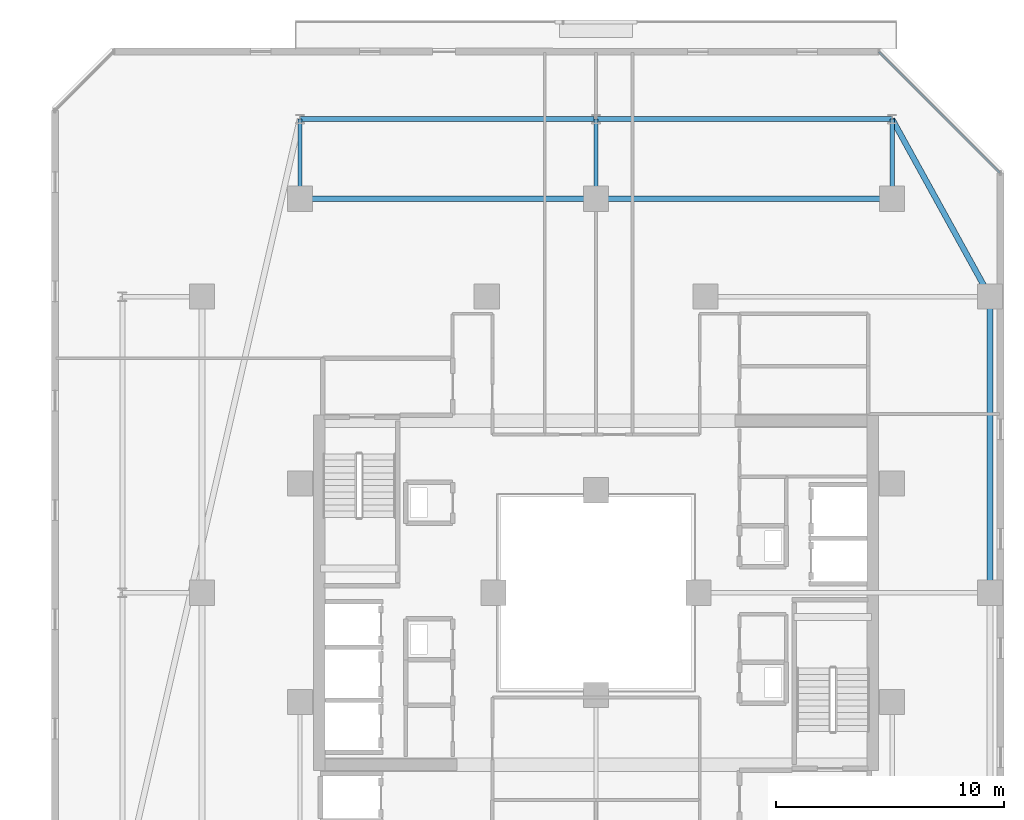
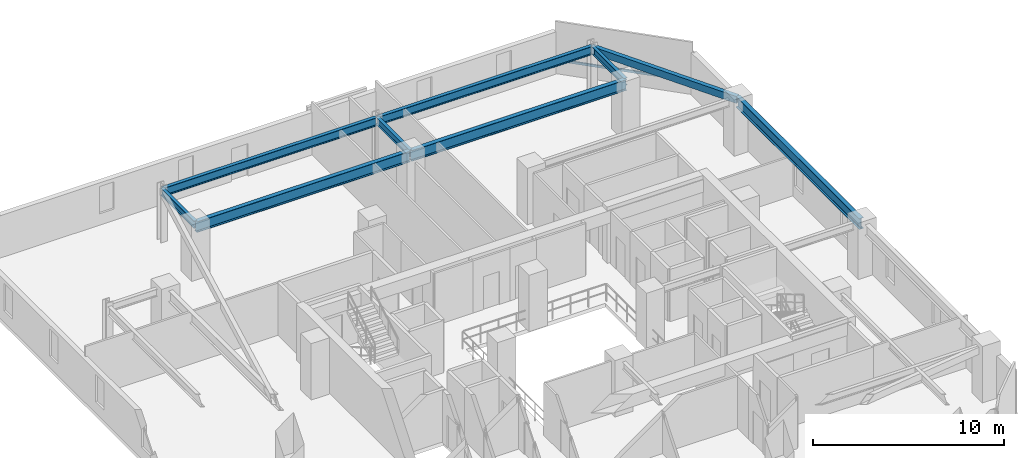
# One storey, part 16 of 33: 9 beams, 1 member, 1 element without a shape of its own.
"""IFC4 building model written with IfcOpenShell, lengths in metres."""

from ifc_helpers import new_model, si_unit, direction, frame, origin, origin_2d, place, context, subcontext, project, spatial, hollow_rectangle, i_section, extrude, material, material_profile, profile_set, type_object, element, aggregate, save


model = new_model("IFC4")

# Units and contexts
model_context = context("Model", 3, precision=1e-05, world=origin(), true_north=direction((0.0, 1.0)))
body_context = subcontext(model_context, "Body", "Model", "MODEL_VIEW")
ifc_project = project(units=[si_unit("LENGTHUNIT", "METRE"), si_unit("AREAUNIT", "SQUARE_METRE"), si_unit("VOLUMEUNIT", "CUBIC_METRE"), si_unit("PLANEANGLEUNIT", "RADIAN"), si_unit("MASSUNIT", "GRAM", prefix="KILO")], contexts=[model_context])

# Site, building, storey
site_placement = place(None, origin())
site = spatial("IfcSite", under=ifc_project, at=site_placement, CompositionType="ELEMENT")
building_placement = place(site_placement, origin())
building = spatial("IfcBuilding", under=site, at=building_placement, Name="Thornwick Lancets Civic Towers", CompositionType="ELEMENT")
storey_placement = place(building_placement, frame((0.0, 0.0, 185.699951171875)))
storey = spatial("IfcBuildingStorey", under=building, at=storey_placement, Name="L49", CompositionType="ELEMENT", Elevation=185.699951171875)

# Beams
ifc_material_1 = material(Name="Steel S355JR", Category="steel")
ifc_material_profile_1 = material_profile(ifc_material_1, i_section(OverallWidth=0.210693359375, OverallDepth=0.53955078125, WebThickness=0.01171875, FlangeThickness=0.018798828125, FilletRadius=0.0126953125, at=origin_2d()), Name="UKB 533x210x109")
ifc_profile_set_1 = profile_set([ifc_material_profile_1], Name="Steel S355JR")
beam_type_1 = type_object("IfcBeamType", Name="BM_EDGE_533_109", PredefinedType="SPANDREL", material=ifc_profile_set_1)
beam_1_placement = place(storey_placement, frame((101.5, 47.800048828125, 3.09033203125), z_axis=(-1.0, 0.0, 0.0), x_axis=(0.0, -1.0, 0.0)))
element("IfcBeam", 1, at=beam_1_placement, inside=storey, type_object=beam_type_1, Name="BM-EDGE-L49-B-S1-1", PredefinedType="SPANDREL", context=body_context, shape_type="SweptSolid", body=[
    extrude(i_section(OverallWidth=0.210693359375, OverallDepth=0.53955078125, WebThickness=0.01171875, FlangeThickness=0.018798828125, FilletRadius=0.0126953125, at=origin_2d()), origin(), (0.0, 0.0, 1.0), 13.0),
])
beam_2_placement = place(storey_placement, frame((88.419921875, 47.800048828125, 3.09033203125), z_axis=(-1.0, 0.0, 0.0), x_axis=(0.0, -1.0, 0.0)))
element("IfcBeam", 2, at=beam_2_placement, inside=storey, type_object=beam_type_1, Name="BM-EDGE-L49-B-S1-2", PredefinedType="SPANDREL", context=body_context, shape_type="SweptSolid", body=[
    extrude(i_section(OverallWidth=0.210693359375, OverallDepth=0.53955078125, WebThickness=0.01171875, FlangeThickness=0.018798828125, FilletRadius=0.0126953125, at=origin_2d()), origin(), (0.0, 0.0, 1.0), 12.919921875),
])
ifc_material_profile_2 = material_profile(ifc_material_1, i_section(OverallWidth=0.255859375, OverallDepth=0.69287109375, WebThickness=0.014404296875, FlangeThickness=0.023681640625, FilletRadius=0.01513671875, at=origin_2d()), Name="UKB 686x254x170")
ifc_profile_set_2 = profile_set([ifc_material_profile_2], Name="Steel S355JR")
beam_type_2 = type_object("IfcBeamType", Name="BM_GIRD_686_170", PredefinedType="BEAM", material=ifc_profile_set_2)
beam_3_placement = place(storey_placement, frame((105.800048828125, 27.080078125, 3.013427734375), z_axis=(0.0, 1.0, 0.0), x_axis=(-1.0, 0.0, 0.0)))
element("IfcBeam", 3, at=beam_3_placement, inside=storey, type_object=beam_type_2, Name="BM-SPINE-L49-B-1-2", PredefinedType="BEAM", context=body_context, shape_type="SweptSolid", body=[
    extrude(i_section(OverallWidth=0.255859375, OverallDepth=0.69287109375, WebThickness=0.014404296875, FlangeThickness=0.023681640625, FilletRadius=0.01513671875, at=origin_2d()), origin(), (0.0, 0.0, 1.0), 12.919921875),
])
beam_4_placement = place(storey_placement, frame((101.5, 44.300048828125, 3.013427734375), z_axis=(-1.0, 0.0, 0.0), x_axis=(0.0, -1.0, 0.0)))
element("IfcBeam", 4, at=beam_4_placement, inside=storey, type_object=beam_type_2, Name="BM-SPINE-L49-B-3-4", PredefinedType="BEAM", context=body_context, shape_type="SweptSolid", body=[
    extrude(i_section(OverallWidth=0.255859375, OverallDepth=0.69287109375, WebThickness=0.014404296875, FlangeThickness=0.023681640625, FilletRadius=0.01513671875, at=origin_2d()), origin(), (0.0, 0.0, 1.0), 13.0),
])
beam_5_placement = place(storey_placement, frame((88.419921875, 44.300048828125, 3.013427734375), z_axis=(-1.0, 0.0, 0.0), x_axis=(0.0, -1.0, 0.0)))
element("IfcBeam", 5, at=beam_5_placement, inside=storey, type_object=beam_type_2, Name="BM-SPINE-L49-B-4-5", PredefinedType="BEAM", context=body_context, shape_type="SweptSolid", body=[
    extrude(i_section(OverallWidth=0.255859375, OverallDepth=0.69287109375, WebThickness=0.014404296875, FlangeThickness=0.023681640625, FilletRadius=0.01513671875, at=origin_2d()), origin(), (0.0, 0.0, 1.0), 12.919921875),
])
ifc_material_profile_3 = material_profile(ifc_material_1, i_section(OverallWidth=0.19287109375, OverallDepth=0.46728515625, WebThickness=0.011474609375, FlangeThickness=0.01953125, FilletRadius=0.01025390625, at=origin_2d()), Name="UKB 457x191x98")
ifc_profile_set_3 = profile_set([ifc_material_profile_3], Name="Steel S355JR")
beam_type_3 = type_object("IfcBeamType", Name="BM_JOIST_457_98", PredefinedType="JOIST", material=ifc_profile_set_3)
for number, where, z_axis, x_axis, name in (
    (6, (101.5, 44.300048828125, 3.12646484375), (0.0, 1.0, 0.0), (-1.0, 0.0, 0.0), "BM-RAD-L49-B04"),
    (7, (88.5, 44.300048828125, 3.12646484375), (0.0, 1.0, 0.0), (-1.0, 0.0, 0.0), "BM-RAD-L49-B05"),
    (8, (75.5, 44.300048828125, 3.12646484375), (0.0, 1.0, 0.0), (-1.0, 0.0, 0.0), "BM-RAD-L49-B06"),
):
    element("IfcBeam", number, at=place(storey_placement, frame(where, z_axis=z_axis, x_axis=x_axis)), inside=storey, type_object=beam_type_3, Name=name, PredefinedType="JOIST", context=body_context, shape_type="SweptSolid", body=[
        extrude(i_section(OverallWidth=0.19287109375, OverallDepth=0.46728515625, WebThickness=0.011474609375, FlangeThickness=0.01953125, FilletRadius=0.01025390625, at=origin_2d()), origin(), (0.0, 0.0, 1.0), 3.5),
    ])
ifc_material_profile_4 = material_profile(ifc_material_1, hollow_rectangle(XDim=0.25, YDim=0.449951171875, WallThickness=0.01611328125, at=origin_2d()), Name="RHS 450x250x16")
ifc_profile_set_4 = profile_set([ifc_material_profile_4], Name="Steel S355JR")
beam_type_4 = type_object("IfcBeamType", Name="BM_RING_RHS450", PredefinedType="BEAM", material=ifc_profile_set_4)
beam_6_placement = place(storey_placement, frame((105.800048828125, 40.0, 3.135009765625), z_axis=(-0.482782395749, 0.875740348708, 0.0), x_axis=(-0.875740348708, -0.482782395749, 0.0)))
element("IfcBeam", 9, at=beam_6_placement, inside=storey, type_object=beam_type_4, Name="BM-CHAMF-L49-B-C0", PredefinedType="BEAM", context=body_context, shape_type="SweptSolid", body=[
    extrude(hollow_rectangle(XDim=0.25, YDim=0.449951171875, WallThickness=0.01611328125, at=origin_2d()), origin(), (0.0, 0.0, 1.0), 8.90673828125),
])

# Curtain wall, member
ifc_material_2 = material(Name="Mid-zone chamfered-corner unitised glass curtain wall", Category="glass")
curtain_wall_type = type_object("IfcCurtainWallType", Name="CW_SYS_04", PredefinedType="NOTDEFINED", material=ifc_material_2)
curtain_wall_placement = place(storey_placement, origin())
curtain_wall = element("IfcCurtainWall", 10, at=curtain_wall_placement, inside=storey, type_object=curtain_wall_type, Name="L49 Curtain Wall CW-L49-B-E3", PredefinedType="NOTDEFINED")
ifc_material_3 = material(Name="Thermally broken bronze aluminium S355", Category="steel")
ifc_material_profile_5 = material_profile(ifc_material_3, hollow_rectangle(XDim=0.074951171875, YDim=0.14990234375, WallThickness=0.0048828125, at=origin_2d()), Name="RHS 150x75x5")
ifc_profile_set_5 = profile_set([ifc_material_profile_5], Name="Thermally broken bronze aluminium S355")
member_type = type_object("IfcMemberType", Name="CW_TRN_150", PredefinedType="USERDEFINED", material=ifc_profile_set_5)
member_placement = place(storey_placement, frame((106.241455078125, 45.437744140625, 0.85009765625), z_axis=(-0.707106781187, 0.707106781187, 0.0), x_axis=(-0.707106781187, -0.707106781187, 0.0)))
member = element("IfcMember", 11, at=member_placement, type_object=member_type, Name="CW-L49-B-E3 Transom 0", ObjectType="TRANSOM", PredefinedType="USERDEFINED", context=body_context, shape_type="SweptSolid", body=[
    extrude(hollow_rectangle(XDim=0.074951171875, YDim=0.14990234375, WallThickness=0.0048828125, at=origin_2d()), origin(), (0.0, 0.0, 1.0), 7.50048828125),
])
aggregate(curtain_wall, [member])

save(model, "model.ifc")
